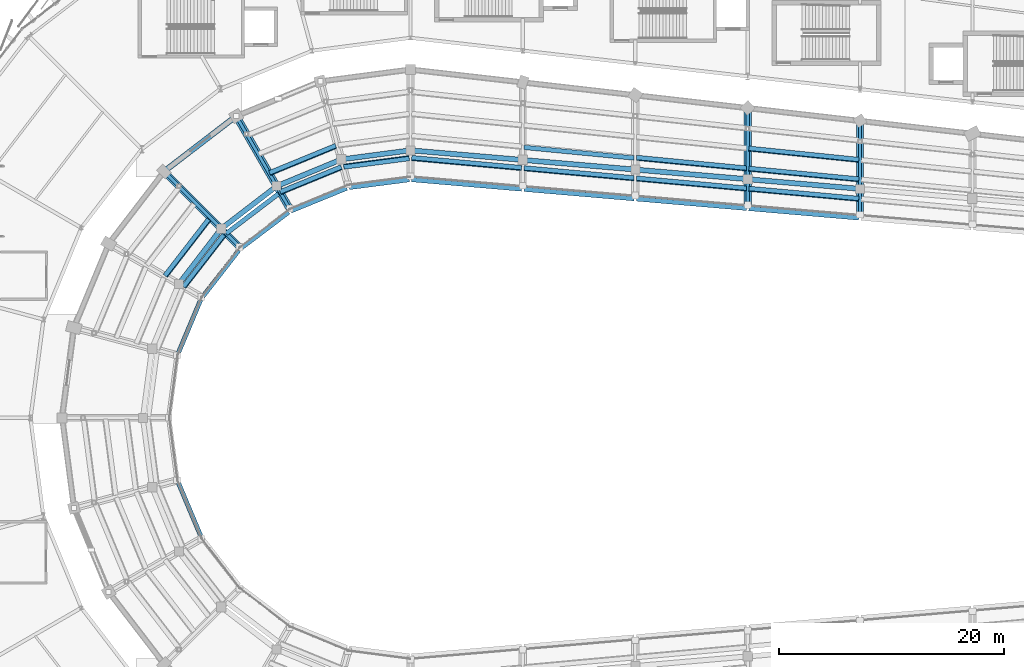
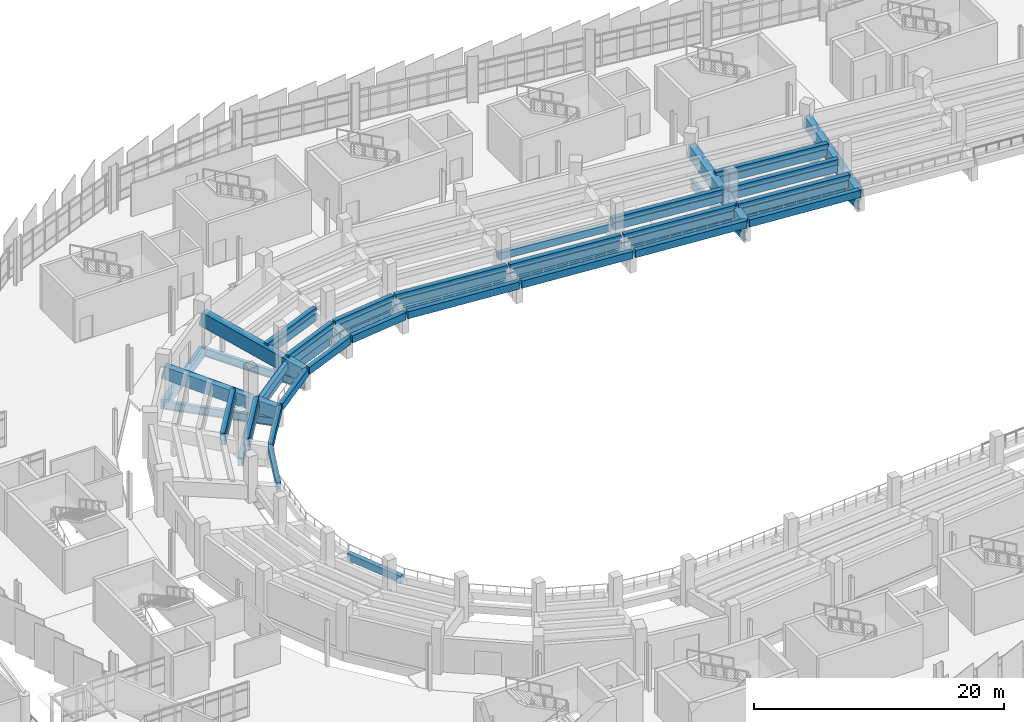
# One storey, part 49 of 120: 53 beams.
"""IFC4 building model written with IfcOpenShell, lengths in metres."""

from ifc_helpers import new_model, si_unit, direction, frame, origin, origin_2d, place, context, subcontext, project, spatial, rectangle, i_section, extrude, material, material_profile, profile_set, type_object, element, save


model = new_model("IFC4")

# Units and contexts
model_context = context("Model", 3, precision=1e-05, world=origin(), true_north=direction((0.0, 1.0)))
body_context = subcontext(model_context, "Body", "Model", "MODEL_VIEW")
ifc_project = project(units=[si_unit("LENGTHUNIT", "METRE"), si_unit("AREAUNIT", "SQUARE_METRE"), si_unit("VOLUMEUNIT", "CUBIC_METRE"), si_unit("PLANEANGLEUNIT", "RADIAN"), si_unit("MASSUNIT", "GRAM", prefix="KILO")], contexts=[model_context])

# Site, building, storey
site_placement = place(None, origin())
site = spatial("IfcSite", under=ifc_project, at=site_placement, CompositionType="ELEMENT")
building_placement = place(site_placement, origin())
building = spatial("IfcBuilding", under=site, at=building_placement, Name="Sohan Crest Arena", CompositionType="ELEMENT")
storey_placement = place(building_placement, frame((0.0, 0.0, 13.5)))
storey = spatial("IfcBuildingStorey", under=building, at=storey_placement, Name="L03", CompositionType="ELEMENT", Elevation=13.5)

# Beams
ifc_material_1 = material(Name="Steel S355", Category="steel")
ifc_material_profile_1 = material_profile(ifc_material_1, i_section(OverallWidth=0.300048828125, OverallDepth=0.800048828125, WebThickness=0.017578125, FlangeThickness=0.032958984375, at=origin_2d()), Name="HEB 800")
ifc_profile_set_1 = profile_set([ifc_material_profile_1], Name="Steel S355")
beam_type_1 = type_object("IfcBeamType", Name="STR-BM-B17", PredefinedType="BEAM", material=ifc_profile_set_1)
beam_1_placement = place(storey_placement, frame((82.5, 104.846923828125, -0.64990234375), z_axis=(0.49996417568, -0.866046085977, 0.0), x_axis=(0.866046085977, 0.49996417568, 0.0)))
element("IfcBeam", 1, at=beam_1_placement, inside=storey, type_object=beam_type_1, Name="Structural beam GC-L03-0818", PredefinedType="BEAM", context=body_context, shape_type="SweptSolid", body=[
    extrude(i_section(OverallWidth=0.300048828125, OverallDepth=0.800048828125, WebThickness=0.017578125, FlangeThickness=0.032958984375, at=origin_2d()), origin(), (0.0, 0.0, 1.0), 9.500732421875),
])
beam_2_placement = place(storey_placement, frame((76.080078125, 99.919921875, -0.64990234375), z_axis=(0.707106781187, -0.707106781187, 0.0), x_axis=(0.707106781187, 0.707106781187, 0.0)))
element("IfcBeam", 2, at=beam_2_placement, inside=storey, type_object=beam_type_1, Name="Structural beam GC-L03-0821", PredefinedType="BEAM", context=body_context, shape_type="SweptSolid", body=[
    extrude(i_section(OverallWidth=0.300048828125, OverallDepth=0.800048828125, WebThickness=0.017578125, FlangeThickness=0.032958984375, at=origin_2d()), origin(), (0.0, 0.0, 1.0), 9.499267578125),
])
beam_3_placement = place(storey_placement, frame((138.0, 104.428955078125, -0.64990234375), z_axis=(0.0, -1.0, 0.0), x_axis=(1.0, 0.0, 0.0)))
element("IfcBeam", 3, at=beam_3_placement, inside=storey, type_object=beam_type_1, Name="Structural beam GC-L03-0890", PredefinedType="BEAM", context=body_context, shape_type="SweptSolid", body=[
    extrude(i_section(OverallWidth=0.300048828125, OverallDepth=0.800048828125, WebThickness=0.017578125, FlangeThickness=0.032958984375, at=origin_2d()), origin(), (0.0, 0.0, 1.0), 8.35791015625),
])
beam_4_placement = place(storey_placement, frame((128.0, 105.571044921875, -0.64990234375), z_axis=(0.0, -1.0, 0.0), x_axis=(1.0, 0.0, 0.0)))
element("IfcBeam", 4, at=beam_4_placement, inside=storey, type_object=beam_type_1, Name="Structural beam GC-L03-0893", PredefinedType="BEAM", context=body_context, shape_type="SweptSolid", body=[
    extrude(i_section(OverallWidth=0.300048828125, OverallDepth=0.800048828125, WebThickness=0.017578125, FlangeThickness=0.032958984375, at=origin_2d()), origin(), (0.0, 0.0, 1.0), 8.64208984375),
])
ifc_material_2 = material(Name="Precast concrete C50/60", Category="concrete")
ifc_material_profile_2 = material_profile(ifc_material_2, rectangle(XDim=0.60009765625, YDim=1.199951171875, at=origin_2d()), Name="RAKER 600x1200")
ifc_profile_set_2 = profile_set([ifc_material_profile_2], Name="Precast concrete C50/60")
beam_type_2 = type_object("IfcBeamType", Name="STR-BM-RK04", PredefinedType="USERDEFINED", material=ifc_profile_set_2)
beam_5_placement = place(storey_placement, frame((82.797119140625, 93.202880859375, 0.35009765625), z_axis=(-0.687252512696, 0.687252512696, 0.235303989736), x_axis=(-0.707106781187, -0.707106781187, 0.0)))
element("IfcBeam", 5, at=beam_5_placement, inside=storey, type_object=beam_type_2, Name="Structural beam RKU-L03-0822", ObjectType="RAKER", PredefinedType="USERDEFINED", context=body_context, shape_type="SweptSolid", body=[
    extrude(rectangle(XDim=0.60009765625, YDim=1.199951171875, at=origin_2d()), origin(), (0.0, 0.0, 1.0), 9.773681640625),
])
beam_6_placement = place(storey_placement, frame((138.0, 96.071044921875, 0.35009765625), z_axis=(0.0, 0.964164698374, 0.265304418376), x_axis=(-1.0, 0.0, 0.0)))
element("IfcBeam", 6, at=beam_6_placement, inside=storey, type_object=beam_type_2, Name="Structural beam RKU-L03-0891", ObjectType="RAKER", PredefinedType="USERDEFINED", context=body_context, shape_type="SweptSolid", body=[
    extrude(rectangle(XDim=0.60009765625, YDim=1.199951171875, at=origin_2d()), origin(), (0.0, 0.0, 1.0), 8.66845703125),
])
ifc_material_profile_3 = material_profile(ifc_material_2, rectangle(XDim=0.64990234375, YDim=1.25, at=origin_2d()), Name="RAKER 650x1250")
ifc_profile_set_3 = profile_set([ifc_material_profile_3], Name="Precast concrete C50/60")
beam_type_3 = type_object("IfcBeamType", Name="STR-BM-RK05", PredefinedType="USERDEFINED", material=ifc_profile_set_3)
beam_7_placement = place(storey_placement, frame((128.0, 96.928955078125, 0.35009765625), z_axis=(0.0, 0.966367121163, 0.25716645803), x_axis=(-1.0, 0.0, 0.0)))
element("IfcBeam", 7, at=beam_7_placement, inside=storey, type_object=beam_type_3, Name="Structural beam RKU-L03-0894", ObjectType="RAKER", PredefinedType="USERDEFINED", context=body_context, shape_type="SweptSolid", body=[
    extrude(rectangle(XDim=0.64990234375, YDim=1.25, at=origin_2d()), origin(), (0.0, 0.0, 1.0), 8.94287109375),
])
ifc_material_profile_4 = material_profile(ifc_material_2, rectangle(XDim=0.64990234375, YDim=1.35009765625, at=origin_2d()), Name="RAKER 650x1350")
ifc_profile_set_4 = profile_set([ifc_material_profile_4], Name="Precast concrete C50/60")
beam_type_4 = type_object("IfcBeamType", Name="STR-BM-RK06", PredefinedType="USERDEFINED", material=ifc_profile_set_4)
beam_8_placement = place(storey_placement, frame((87.25, 96.618896484375, 0.35009765625), z_axis=(-0.485929917069, 0.841735714693, 0.235272400226), x_axis=(-0.866046085977, -0.49996417568, 0.0)))
element("IfcBeam", 8, at=beam_8_placement, inside=storey, type_object=beam_type_4, Name="Structural beam RKU-L03-0819", ObjectType="RAKER", PredefinedType="USERDEFINED", context=body_context, shape_type="SweptSolid", body=[
    extrude(rectangle(XDim=0.64990234375, YDim=1.35009765625, at=origin_2d()), origin(), (0.0, 0.0, 1.0), 9.775146484375),
])
ifc_material_3 = material(Name="Concrete C40/50", Category="concrete")
ifc_material_profile_5 = material_profile(ifc_material_3, rectangle(XDim=0.39990234375, YDim=0.699951171875, at=origin_2d()), Name="RC-BM 400x700")
ifc_profile_set_5 = profile_set([ifc_material_profile_5], Name="Concrete C40/50")
beam_type_5 = type_object("IfcBeamType", Name="STR-BM-TB01", PredefinedType="BEAM", material=ifc_profile_set_5)
beam_9_placement = place(storey_placement, frame((97.89111328125, 99.18603515625, 0.85595703125), z_axis=(-0.991680257472, -0.128725548899, 0.0), x_axis=(0.128725548899, -0.991680257472, 0.0)))
element("IfcBeam", 9, at=beam_9_placement, inside=storey, type_object=beam_type_5, Name="Upper tier front stringer TSB-U006A", PredefinedType="BEAM", context=body_context, shape_type="SweptSolid", body=[
    extrude(rectangle(XDim=0.39990234375, YDim=0.699951171875, at=origin_2d()), origin(), (0.0, 0.0, 1.0), 5.39208984375),
])
beam_10_placement = place(storey_placement, frame((97.89111328125, 101.068115234375, 0.85595703125), z_axis=(-0.991599947209, -0.129342741174, 0.0), x_axis=(0.129342741174, -0.991599947209, 0.0)))
element("IfcBeam", 10, at=beam_10_placement, inside=storey, type_object=beam_type_5, Name="Upper tier rear stringer TSB-U006B", PredefinedType="BEAM", context=body_context, shape_type="SweptSolid", body=[
    extrude(rectangle(XDim=0.39990234375, YDim=0.699951171875, at=origin_2d()), origin(), (0.0, 0.0, 1.0), 5.868408203125),
])
beam_11_placement = place(storey_placement, frame((97.89111328125, 101.14599609375, 1.31591796875), z_axis=(-0.991611506634, -0.129254090502, 0.0), x_axis=(0.129254090502, -0.991611506634, 0.0)))
element("IfcBeam", 11, at=beam_11_placement, inside=storey, type_object=beam_type_5, Name="Upper tier front stringer TSB-U007A", PredefinedType="BEAM", context=body_context, shape_type="SweptSolid", body=[
    extrude(rectangle(XDim=0.39990234375, YDim=0.699951171875, at=origin_2d()), origin(), (0.0, 0.0, 1.0), 5.887451171875),
])
beam_12_placement = place(storey_placement, frame((92.3330078125, 98.43603515625, 0.85595703125), z_axis=(-0.92571021469, -0.378233523657, 0.0), x_axis=(0.378233523657, -0.92571021469, 0.0)))
element("IfcBeam", 12, at=beam_12_placement, inside=storey, type_object=beam_type_5, Name="Upper tier front stringer TSB-U016A", PredefinedType="BEAM", context=body_context, shape_type="SweptSolid", body=[
    extrude(rectangle(XDim=0.39990234375, YDim=0.699951171875, at=origin_2d()), origin(), (0.0, 0.0, 1.0), 5.380615234375),
])
beam_13_placement = place(storey_placement, frame((91.861083984375, 100.2529296875, 0.85595703125), z_axis=(-0.925296508975, -0.379244473235, 0.0), x_axis=(0.379244473235, -0.925296508975, 0.0)))
element("IfcBeam", 13, at=beam_13_placement, inside=storey, type_object=beam_type_5, Name="Upper tier rear stringer TSB-U016B", PredefinedType="BEAM", context=body_context, shape_type="SweptSolid", body=[
    extrude(rectangle(XDim=0.39990234375, YDim=0.699951171875, at=origin_2d()), origin(), (0.0, 0.0, 1.0), 5.85888671875),
])
beam_14_placement = place(storey_placement, frame((91.842041015625, 100.3291015625, 1.31591796875), z_axis=(-0.925275515578, -0.379295689762, 0.0), x_axis=(0.379295689762, -0.925275515578, 0.0)))
element("IfcBeam", 14, at=beam_14_placement, inside=storey, type_object=beam_type_5, Name="Upper tier front stringer TSB-U017A", PredefinedType="BEAM", context=body_context, shape_type="SweptSolid", body=[
    extrude(rectangle(XDim=0.39990234375, YDim=0.699951171875, at=origin_2d()), origin(), (0.0, 0.0, 1.0), 5.879150390625),
])
beam_15_placement = place(storey_placement, frame((91.3701171875, 102.14599609375, 1.31591796875), z_axis=(-0.924912538789, -0.380179951589, 0.0), x_axis=(0.380179951589, -0.924912538789, 0.0)))
element("IfcBeam", 15, at=beam_15_placement, inside=storey, type_object=beam_type_5, Name="Upper tier rear stringer TSB-U017B", PredefinedType="BEAM", context=body_context, shape_type="SweptSolid", body=[
    extrude(rectangle(XDim=0.39990234375, YDim=0.699951171875, at=origin_2d()), origin(), (0.0, 0.0, 1.0), 6.357421875),
])
beam_16_placement = place(storey_placement, frame((91.35009765625, 102.221923828125, 1.77587890625), z_axis=(-0.924823905069, -0.380395510769, 0.0), x_axis=(0.380395510769, -0.924823905069, 0.0)))
element("IfcBeam", 16, at=beam_16_placement, inside=storey, type_object=beam_type_5, Name="Upper tier front stringer TSB-U018A", PredefinedType="BEAM", context=body_context, shape_type="SweptSolid", body=[
    extrude(rectangle(XDim=0.39990234375, YDim=0.699951171875, at=origin_2d()), origin(), (0.0, 0.0, 1.0), 6.377685546875),
])
beam_17_placement = place(storey_placement, frame((87.162109375, 96.29296875, 0.85595703125), z_axis=(-0.797463805194, -0.603366786794, 0.0), x_axis=(0.603366786794, -0.797463805194, 0.0)))
element("IfcBeam", 17, at=beam_17_placement, inside=storey, type_object=beam_type_5, Name="Upper tier front stringer TSB-U024A", PredefinedType="BEAM", context=body_context, shape_type="SweptSolid", body=[
    extrude(rectangle(XDim=0.39990234375, YDim=0.699951171875, at=origin_2d()), origin(), (0.0, 0.0, 1.0), 5.36328125),
])
beam_18_placement = place(storey_placement, frame((86.25, 97.922119140625, 0.85595703125), z_axis=(-0.796401228791, -0.604768619209, 0.0), x_axis=(0.604768619209, -0.796401228791, 0.0)))
element("IfcBeam", 18, at=beam_18_placement, inside=storey, type_object=beam_type_5, Name="Upper tier rear stringer TSB-U024B", PredefinedType="BEAM", context=body_context, shape_type="SweptSolid", body=[
    extrude(rectangle(XDim=0.39990234375, YDim=0.699951171875, at=origin_2d()), origin(), (0.0, 0.0, 1.0), 5.84375),
])
beam_19_placement = place(storey_placement, frame((82.72900390625, 92.904052734375, 0.85595703125), z_axis=(-0.61395326828, -0.789342374618, 0.0), x_axis=(0.789342374618, -0.61395326828, 0.0)))
element("IfcBeam", 19, at=beam_19_placement, inside=storey, type_object=beam_type_5, Name="Upper tier front stringer TSB-U030A", PredefinedType="BEAM", context=body_context, shape_type="SweptSolid", body=[
    extrude(rectangle(XDim=0.39990234375, YDim=0.699951171875, at=origin_2d()), origin(), (0.0, 0.0, 1.0), 5.342529296875),
])
beam_20_placement = place(storey_placement, frame((81.44091796875, 94.23388671875, 0.85595703125), z_axis=(-0.612933995186, -0.790134113645, 0.0), x_axis=(0.790134113645, -0.612933995186, 0.0)))
element("IfcBeam", 20, at=beam_20_placement, inside=storey, type_object=beam_type_5, Name="Upper tier rear stringer TSB-U030B", PredefinedType="BEAM", context=body_context, shape_type="SweptSolid", body=[
    extrude(rectangle(XDim=0.39990234375, YDim=0.699951171875, at=origin_2d()), origin(), (0.0, 0.0, 1.0), 5.829345703125),
])
beam_21_placement = place(storey_placement, frame((81.386962890625, 94.2890625, 1.31591796875), z_axis=(-0.61287670772, -0.790178550161, 0.0), x_axis=(0.790178550161, -0.61287670772, 0.0)))
element("IfcBeam", 21, at=beam_21_placement, inside=storey, type_object=beam_type_5, Name="Upper tier front stringer TSB-U031A", PredefinedType="BEAM", context=body_context, shape_type="SweptSolid", body=[
    extrude(rectangle(XDim=0.39990234375, YDim=0.699951171875, at=origin_2d()), origin(), (0.0, 0.0, 1.0), 5.849365234375),
])
beam_22_placement = place(storey_placement, frame((80.096923828125, 95.6201171875, 1.31591796875), z_axis=(-0.611541825814, -0.791212105115, 0.0), x_axis=(0.791212105115, -0.611541825814, 0.0)))
element("IfcBeam", 22, at=beam_22_placement, inside=storey, type_object=beam_type_5, Name="Upper tier rear stringer TSB-U031B", PredefinedType="BEAM", context=body_context, shape_type="SweptSolid", body=[
    extrude(rectangle(XDim=0.39990234375, YDim=0.699951171875, at=origin_2d()), origin(), (0.0, 0.0, 1.0), 6.3349609375),
])
beam_23_placement = place(storey_placement, frame((80.04296875, 95.675048828125, 1.77587890625), z_axis=(-0.611512010816, -0.791235148756, 0.0), x_axis=(0.791235148756, -0.611512010816, 0.0)))
element("IfcBeam", 23, at=beam_23_placement, inside=storey, type_object=beam_type_5, Name="Upper tier front stringer TSB-U032A", PredefinedType="BEAM", context=body_context, shape_type="SweptSolid", body=[
    extrude(rectangle(XDim=0.39990234375, YDim=0.699951171875, at=origin_2d()), origin(), (0.0, 0.0, 1.0), 6.354736328125),
])
for number, where, z_axis, x_axis, name in (
    (24, (79.337890625, 88.4990234375, 0.85595703125), (-0.387126503798, -0.922026610276, 0.0), (0.922026610276, -0.387126503798, 0.0), "Upper tier front stringer TSB-U040A"),
    (25, (77.27587890625, 72.412109375, 0.85595703125), (0.387126503798, -0.922026610276, 0.0), (0.922026610276, 0.387126503798, 0.0), "Upper tier front stringer TSB-U064A"),
):
    element("IfcBeam", number, at=place(storey_placement, frame(where, z_axis=z_axis, x_axis=x_axis)), inside=storey, type_object=beam_type_5, Name=name, PredefinedType="BEAM", context=body_context, shape_type="SweptSolid", body=[
        extrude(rectangle(XDim=0.39990234375, YDim=0.699951171875, at=origin_2d()), origin(), (0.0, 0.0, 1.0), 5.326416015625),
    ])
beam_24_placement = place(storey_placement, frame((137.889892578125, 95.780029296875, 0.85595703125), z_axis=(-0.99633085007, 0.085585262746, 0.0), x_axis=(-0.085585262746, -0.99633085007, 0.0)))
element("IfcBeam", 26, at=beam_24_placement, inside=storey, type_object=beam_type_5, Name="Upper tier front stringer TSB-U231A", PredefinedType="BEAM", context=body_context, shape_type="SweptSolid", body=[
    extrude(rectangle(XDim=0.39990234375, YDim=0.699951171875, at=origin_2d()), origin(), (0.0, 0.0, 1.0), 9.81591796875),
])
for number, where, z_axis, x_axis, name in (
    (27, (137.889892578125, 97.443115234375, 0.85595703125), (-0.995858696626, 0.090914555234, 0.0), (-0.090914555234, -0.995858696626, 0.0), "Upper tier rear stringer TSB-U231B"),
    (28, (137.889892578125, 97.512939453125, 1.31591796875), (-0.995847435054, 0.091037827829, 0.0), (-0.091037827829, -0.995847435054, 0.0), "Upper tier front stringer TSB-U232A"),
):
    element("IfcBeam", number, at=place(storey_placement, frame(where, z_axis=z_axis, x_axis=x_axis)), inside=storey, type_object=beam_type_5, Name=name, PredefinedType="BEAM", context=body_context, shape_type="SweptSolid", body=[
        extrude(rectangle(XDim=0.39990234375, YDim=0.699951171875, at=origin_2d()), origin(), (0.0, 0.0, 1.0), 9.820556640625),
    ])
beam_25_placement = place(storey_placement, frame((137.89111328125, 99.176025390625, 1.31591796875), z_axis=(-0.995346555601, 0.096359920365, 0.0), x_axis=(-0.096359920365, -0.995346555601, 0.0)))
element("IfcBeam", 29, at=beam_25_placement, inside=storey, type_object=beam_type_5, Name="Upper tier rear stringer TSB-U232B", PredefinedType="BEAM", context=body_context, shape_type="SweptSolid", body=[
    extrude(rectangle(XDim=0.39990234375, YDim=0.699951171875, at=origin_2d()), origin(), (0.0, 0.0, 1.0), 9.827880859375),
])
beam_26_placement = place(storey_placement, frame((137.89111328125, 99.2451171875, 1.77587890625), z_axis=(-0.995317921659, 0.096655236927, 0.0), x_axis=(-0.096655236927, -0.995317921659, 0.0)))
element("IfcBeam", 30, at=beam_26_placement, inside=storey, type_object=beam_type_5, Name="Upper tier front stringer TSB-U233A", PredefinedType="BEAM", context=body_context, shape_type="SweptSolid", body=[
    extrude(rectangle(XDim=0.39990234375, YDim=0.699951171875, at=origin_2d()), origin(), (0.0, 0.0, 1.0), 9.828125),
])
for number, where, z_axis, x_axis, name in (
    (31, (137.89111328125, 100.907958984375, 1.77587890625), (-0.994772712373, 0.102113910502, 0.0), (-0.102113910502, -0.994772712373, 0.0), "Upper tier rear stringer TSB-U233B"),
    (32, (137.89111328125, 100.97705078125, 2.236083984375), (-0.994755044232, 0.102285883554, 0.0), (-0.102285883554, -0.994755044232, 0.0), "Upper tier front stringer TSB-U234A"),
):
    element("IfcBeam", number, at=place(storey_placement, frame(where, z_axis=z_axis, x_axis=x_axis)), inside=storey, type_object=beam_type_5, Name=name, PredefinedType="BEAM", context=body_context, shape_type="SweptSolid", body=[
        extrude(rectangle(XDim=0.39990234375, YDim=0.699951171875, at=origin_2d()), origin(), (0.0, 0.0, 1.0), 9.833740234375),
    ])
beam_27_placement = place(storey_placement, frame((127.889892578125, 96.637939453125, 0.85595703125), z_axis=(-0.996339328782, 0.085486501399, 0.0), x_axis=(-0.085486501399, -0.996339328782, 0.0)))
element("IfcBeam", 33, at=beam_27_placement, inside=storey, type_object=beam_type_5, Name="Upper tier front stringer TSB-U241A", PredefinedType="BEAM", context=body_context, shape_type="SweptSolid", body=[
    extrude(rectangle(XDim=0.39990234375, YDim=0.699951171875, at=origin_2d()), origin(), (0.0, 0.0, 1.0), 9.815673828125),
])
beam_28_placement = place(storey_placement, frame((127.889892578125, 98.35595703125, 0.85595703125), z_axis=(-0.995865446367, 0.090840589671, 0.0), x_axis=(-0.090840589671, -0.995865446367, 0.0)))
element("IfcBeam", 34, at=beam_28_placement, inside=storey, type_object=beam_type_5, Name="Upper tier rear stringer TSB-U241B", PredefinedType="BEAM", context=body_context, shape_type="SweptSolid", body=[
    extrude(rectangle(XDim=0.39990234375, YDim=0.699951171875, at=origin_2d()), origin(), (0.0, 0.0, 1.0), 9.8203125),
])
beam_29_placement = place(storey_placement, frame((127.889892578125, 98.427001953125, 1.31591796875), z_axis=(-0.995838414994, 0.091136442892, 0.0), x_axis=(-0.091136442892, -0.995838414994, 0.0)))
element("IfcBeam", 35, at=beam_29_placement, inside=storey, type_object=beam_type_5, Name="Upper tier front stringer TSB-U242A", PredefinedType="BEAM", context=body_context, shape_type="SweptSolid", body=[
    extrude(rectangle(XDim=0.39990234375, YDim=0.699951171875, at=origin_2d()), origin(), (0.0, 0.0, 1.0), 9.820556640625),
])
beam_30_placement = place(storey_placement, frame((127.89111328125, 100.14501953125, 1.31591796875), z_axis=(-0.995346555601, 0.096359920365, 0.0), x_axis=(-0.096359920365, -0.995346555601, 0.0)))
element("IfcBeam", 36, at=beam_30_placement, inside=storey, type_object=beam_type_5, Name="Upper tier rear stringer TSB-U242B", PredefinedType="BEAM", context=body_context, shape_type="SweptSolid", body=[
    extrude(rectangle(XDim=0.39990234375, YDim=0.699951171875, at=origin_2d()), origin(), (0.0, 0.0, 1.0), 9.827880859375),
])
beam_31_placement = place(storey_placement, frame((127.89111328125, 100.217041015625, 1.77587890625), z_axis=(-0.995327475859, 0.096556800905, 0.0), x_axis=(-0.096556800905, -0.995327475859, 0.0)))
element("IfcBeam", 37, at=beam_31_placement, inside=storey, type_object=beam_type_5, Name="Upper tier front stringer TSB-U243A", PredefinedType="BEAM", context=body_context, shape_type="SweptSolid", body=[
    extrude(rectangle(XDim=0.39990234375, YDim=0.699951171875, at=origin_2d()), origin(), (0.0, 0.0, 1.0), 9.828125),
])
beam_32_placement = place(storey_placement, frame((117.889892578125, 97.4951171875, 0.85595703125), z_axis=(-0.996341446953, 0.085461810668, 0.0), x_axis=(-0.085461810668, -0.996341446953, 0.0)))
element("IfcBeam", 38, at=beam_32_placement, inside=storey, type_object=beam_type_5, Name="Upper tier front stringer TSB-U251A", PredefinedType="BEAM", context=body_context, shape_type="SweptSolid", body=[
    extrude(rectangle(XDim=0.39990234375, YDim=0.699951171875, at=origin_2d()), origin(), (0.0, 0.0, 1.0), 9.815673828125),
])
beam_33_placement = place(storey_placement, frame((117.889892578125, 99.26806640625, 0.85595703125), z_axis=(-0.99586769508, 0.090815934149, 0.0), x_axis=(-0.090815934149, -0.99586769508, 0.0)))
element("IfcBeam", 39, at=beam_33_placement, inside=storey, type_object=beam_type_5, Name="Upper tier rear stringer TSB-U251B", PredefinedType="BEAM", context=body_context, shape_type="SweptSolid", body=[
    extrude(rectangle(XDim=0.39990234375, YDim=0.699951171875, at=origin_2d()), origin(), (0.0, 0.0, 1.0), 9.8203125),
])
beam_34_placement = place(storey_placement, frame((117.889892578125, 99.342041015625, 1.31591796875), z_axis=(-0.995847435054, 0.091037827829, 0.0), x_axis=(-0.091037827829, -0.995847435054, 0.0)))
element("IfcBeam", 40, at=beam_34_placement, inside=storey, type_object=beam_type_5, Name="Upper tier front stringer TSB-U252A", PredefinedType="BEAM", context=body_context, shape_type="SweptSolid", body=[
    extrude(rectangle(XDim=0.39990234375, YDim=0.699951171875, at=origin_2d()), origin(), (0.0, 0.0, 1.0), 9.820556640625),
])
beam_35_placement = place(storey_placement, frame((117.89111328125, 101.114013671875, 1.31591796875), z_axis=(-0.995346555601, 0.096359920365, 0.0), x_axis=(-0.096359920365, -0.995346555601, 0.0)))
element("IfcBeam", 41, at=beam_35_placement, inside=storey, type_object=beam_type_5, Name="Upper tier rear stringer TSB-U252B", PredefinedType="BEAM", context=body_context, shape_type="SweptSolid", body=[
    extrude(rectangle(XDim=0.39990234375, YDim=0.699951171875, at=origin_2d()), origin(), (0.0, 0.0, 1.0), 9.827880859375),
])
beam_36_placement = place(storey_placement, frame((107.889892578125, 98.35205078125, 0.85595703125), z_axis=(-0.996341446953, 0.085461810668, 0.0), x_axis=(-0.085461810668, -0.996341446953, 0.0)))
element("IfcBeam", 42, at=beam_36_placement, inside=storey, type_object=beam_type_5, Name="Upper tier front stringer TSB-U261A", PredefinedType="BEAM", context=body_context, shape_type="SweptSolid", body=[
    extrude(rectangle(XDim=0.39990234375, YDim=0.699951171875, at=origin_2d()), origin(), (0.0, 0.0, 1.0), 9.815673828125),
])
beam_37_placement = place(storey_placement, frame((107.889892578125, 100.179931640625, 0.85595703125), z_axis=(-0.995865446367, 0.090840589671, 0.0), x_axis=(-0.090840589671, -0.995865446367, 0.0)))
element("IfcBeam", 43, at=beam_37_placement, inside=storey, type_object=beam_type_5, Name="Upper tier rear stringer TSB-U261B", PredefinedType="BEAM", context=body_context, shape_type="SweptSolid", body=[
    extrude(rectangle(XDim=0.39990234375, YDim=0.699951171875, at=origin_2d()), origin(), (0.0, 0.0, 1.0), 9.8203125),
])
beam_38_placement = place(storey_placement, frame((107.889892578125, 100.256103515625, 1.31591796875), z_axis=(-0.995849688569, 0.091013173645, 0.0), x_axis=(-0.091013173645, -0.995849688569, 0.0)))
element("IfcBeam", 44, at=beam_38_placement, inside=storey, type_object=beam_type_5, Name="Upper tier front stringer TSB-U262A", PredefinedType="BEAM", context=body_context, shape_type="SweptSolid", body=[
    extrude(rectangle(XDim=0.39990234375, YDim=0.699951171875, at=origin_2d()), origin(), (0.0, 0.0, 1.0), 9.820556640625),
])
ifc_material_profile_6 = material_profile(ifc_material_3, rectangle(XDim=0.449951171875, YDim=0.800048828125, at=origin_2d()), Name="RC-BM 450x800")
ifc_profile_set_6 = profile_set([ifc_material_profile_6], Name="Concrete C40/50")
beam_type_6 = type_object("IfcBeamType", Name="STR-BM-TB02", PredefinedType="BEAM", material=ifc_profile_set_6)
for number, where, z_axis, x_axis, name in (
    (45, (98.0, 101.800048828125, -0.64990234375), (-0.991443458676, -0.130536846329, 0.0), (0.130536846329, -0.991443458676, 0.0), "Structural beam TB-L03-0074"),
    (46, (91.840087890625, 100.989013671875, -0.64990234375), (-0.92385973493, -0.382731224457, 0.0), (0.382731224457, -0.92385973493, 0.0), "Structural beam TB-L03-0096"),
):
    element("IfcBeam", number, at=place(storey_placement, frame(where, z_axis=z_axis, x_axis=x_axis)), inside=storey, type_object=beam_type_6, Name=name, PredefinedType="BEAM", context=body_context, shape_type="SweptSolid", body=[
        extrude(rectangle(XDim=0.449951171875, YDim=0.800048828125, at=origin_2d()), origin(), (0.0, 0.0, 1.0), 6.213134765625),
    ])
for number, where, z_axis, x_axis, name in (
    (47, (86.10009765625, 98.611083984375, -0.64990234375), (-0.793378616602, -0.608728486864, 0.0), (0.608728486864, -0.793378616602, 0.0), "Structural beam TB-L03-0118"),
    (48, (81.1708984375, 94.8291015625, -0.64990234375), (-0.608728486864, -0.793378616602, 0.0), (0.793378616602, -0.608728486864, 0.0), "Structural beam TB-L03-0140"),
):
    element("IfcBeam", number, at=place(storey_placement, frame(where, z_axis=z_axis, x_axis=x_axis)), inside=storey, type_object=beam_type_6, Name=name, PredefinedType="BEAM", context=body_context, shape_type="SweptSolid", body=[
        extrude(rectangle(XDim=0.449951171875, YDim=0.800048828125, at=origin_2d()), origin(), (0.0, 0.0, 1.0), 6.212890625),
    ])
for number, where, z_axis, x_axis, name in (
    (49, (138.0, 98.37109375, -0.64990234375), (-0.996340141164, 0.085477032618, 0.0), (-0.085477032618, -0.996340141164, 0.0), "Structural beam TB-L03-0740"),
    (50, (128.0, 99.22900390625, -0.64990234375), (-0.996348422929, 0.085380443469, 0.0), (-0.085380443469, -0.996348422929, 0.0), "Structural beam TB-L03-0762"),
    (51, (118.0, 100.0859375, -0.64990234375), (-0.996346353353, 0.085404590982, 0.0), (-0.085404590982, -0.996346353353, 0.0), "Structural beam TB-L03-0784"),
    (52, (108.0, 100.943115234375, -0.64990234375), (-0.996348422929, 0.085380443469, 0.0), (-0.085380443469, -0.996348422929, 0.0), "Structural beam TB-L03-0806"),
):
    element("IfcBeam", number, at=place(storey_placement, frame(where, z_axis=z_axis, x_axis=x_axis)), inside=storey, type_object=beam_type_6, Name=name, PredefinedType="BEAM", context=body_context, shape_type="SweptSolid", body=[
        extrude(rectangle(XDim=0.449951171875, YDim=0.800048828125, at=origin_2d()), origin(), (0.0, 0.0, 1.0), 10.03662109375),
    ])
ifc_material_profile_7 = material_profile(ifc_material_3, rectangle(XDim=0.5, YDim=0.89990234375, at=origin_2d()), Name="RC-BM 500x900")
ifc_profile_set_7 = profile_set([ifc_material_profile_7], Name="Concrete C40/50")
beam_type_7 = type_object("IfcBeamType", Name="STR-BM-TB03", PredefinedType="BEAM", material=ifc_profile_set_7)
beam_39_placement = place(storey_placement, frame((82.5, 104.846923828125, -0.699951171875), z_axis=(-0.793304243257, -0.608825408167, 0.0), x_axis=(0.608825408167, -0.793304243257, 0.0)))
element("IfcBeam", 53, at=beam_39_placement, inside=storey, type_object=beam_type_7, Name="Structural beam TB-L03-0119", PredefinedType="BEAM", context=body_context, shape_type="SweptSolid", body=[
    extrude(rectangle(XDim=0.5, YDim=0.89990234375, at=origin_2d()), origin(), (0.0, 0.0, 1.0), 8.092529296875),
])

save(model, "model.ifc")
